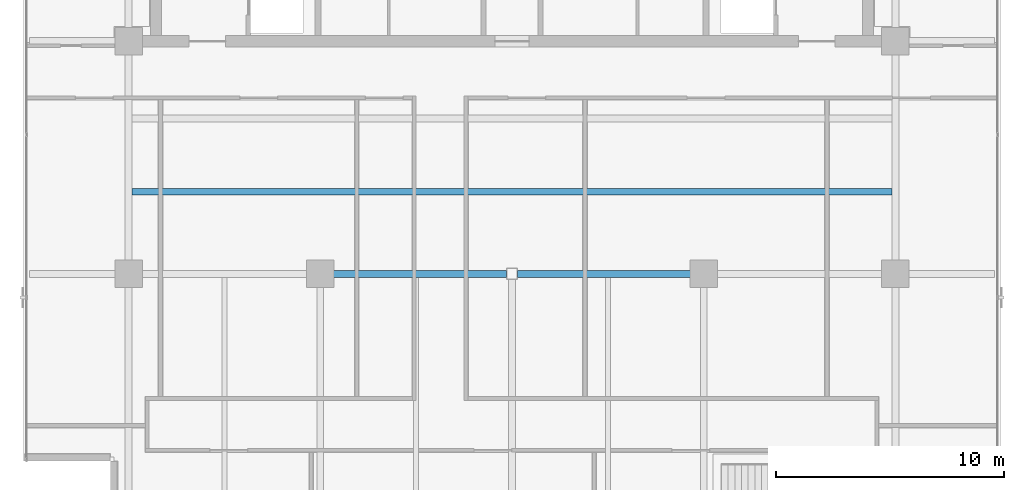
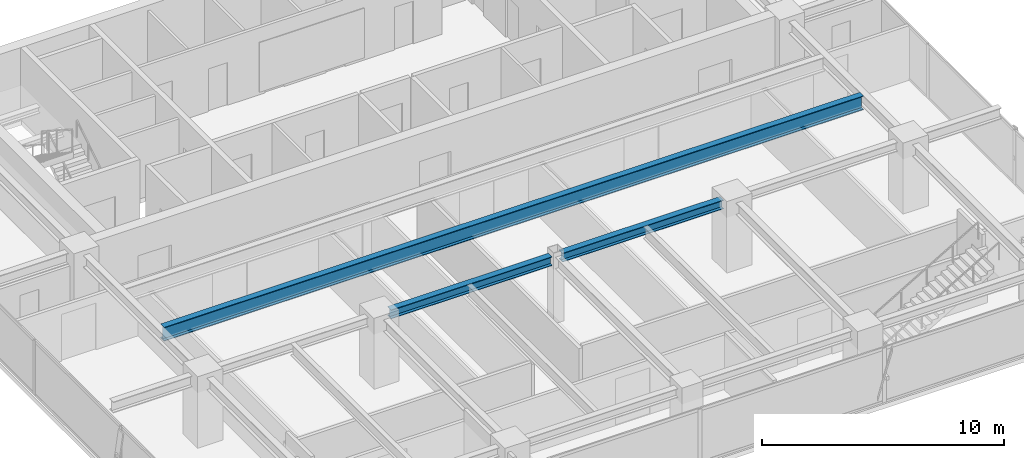
# One storey, part 5 of 22: 3 beams.
"""IFC4 building model written with IfcOpenShell, lengths in metres."""

from ifc_helpers import new_model, si_unit, direction, frame, origin, origin_2d, place, context, subcontext, project, spatial, i_section, extrude, source, transform, mapped, material, material_profile, profile_set, type_object, element, save


model = new_model("IFC4")

# Units and contexts
model_context = context("Model", 3, precision=1e-05, world=origin(), true_north=direction((0.0, 1.0)))
body_context = subcontext(model_context, "Body", "Model", "MODEL_VIEW")
ifc_project = project(units=[si_unit("LENGTHUNIT", "METRE"), si_unit("AREAUNIT", "SQUARE_METRE"), si_unit("VOLUMEUNIT", "CUBIC_METRE"), si_unit("PLANEANGLEUNIT", "RADIAN"), si_unit("MASSUNIT", "GRAM", prefix="KILO")], contexts=[model_context])

# Site, building, storey
site_placement = place(None, origin())
site = spatial("IfcSite", under=ifc_project, at=site_placement, CompositionType="ELEMENT")
building_placement = place(site_placement, origin())
building = spatial("IfcBuilding", under=site, at=building_placement, Name="Sumidabori Civic Tower", CompositionType="ELEMENT")
storey_placement = place(building_placement, frame((0.0, 0.0, 286.39990234375)))
storey = spatial("IfcBuildingStorey", under=building, at=storey_placement, Name="L75", CompositionType="ELEMENT", Elevation=286.39990234375)

# Beams
ifc_material = material(Name="Steel SN490", Category="steel")
ifc_material_profile_1 = material_profile(ifc_material, i_section(OverallWidth=0.300048828125, OverallDepth=0.699951171875, WebThickness=0.01708984375, FlangeThickness=0.031982421875, at=origin_2d()), Name="HE 700 B")
ifc_profile_set_1 = profile_set([ifc_material_profile_1], Name="Steel SN490")
beam_type_1 = type_object("IfcBeamType", Name="BM-GIRD-700", PredefinedType="BEAM", material=ifc_profile_set_1)
shared_shape_1 = source(origin(), body_context, "Body", "SweptSolid", [
    extrude(i_section(OverallWidth=0.300048828125, OverallDepth=0.699951171875, WebThickness=0.01708984375, FlangeThickness=0.031982421875, at=origin_2d()), origin(), (0.0, 0.0, 1.0), 33.2998046875),
])
beam_placement = place(storey_placement, frame((-16.64990234375, 3.60009765625, 3.02001953125), z_axis=(1.0, 0.0, 0.0), x_axis=(0.0, 1.0, 0.0)))
element("IfcBeam", 1, at=beam_placement, inside=storey, type_object=beam_type_1, Name="North Bay Floor Beam L75 JSTN-22", PredefinedType="BEAM", context=body_context, shape_type="MappedRepresentation", body=[
    mapped(shared_shape_1, transform((0.0, 0.0, 0.0), x_axis=(1.0, 0.0, 0.0), y_axis=(0.0, 1.0, 0.0), z_axis=(0.0, 0.0, 1.0), scale=1.0)),
])
ifc_material_profile_2 = material_profile(ifc_material, i_section(OverallWidth=0.300048828125, OverallDepth=0.449951171875, WebThickness=0.013916015625, FlangeThickness=0.02587890625, at=origin_2d()), Name="HE 450 B")
ifc_profile_set_2 = profile_set([ifc_material_profile_2], Name="Steel SN490")
beam_type_2 = type_object("IfcBeamType", Name="BM-GIRD-450", PredefinedType="BEAM", material=ifc_profile_set_2)
shared_shape_2 = source(origin(), body_context, "Body", "SweptSolid", [
    extrude(i_section(OverallWidth=0.300048828125, OverallDepth=0.449951171875, WebThickness=0.013916015625, FlangeThickness=0.02587890625, at=origin_2d()), origin(), (0.0, 0.0, 1.0), 7.669921875),
])
for number, where, z_axis, x_axis, name in (
    (2, (-7.919921875, 0.0, 3.14501953125), (1.0, 0.0, 0.0), (0.0, 1.0, 0.0), "Primary Girder L75 GX-06"),
    (3, (0.25, 0.0, 3.14501953125), (1.0, 0.0, 0.0), (0.0, 1.0, 0.0), "Primary Girder L75 GX-07"),
):
    element("IfcBeam", number, at=place(storey_placement, frame(where, z_axis=z_axis, x_axis=x_axis)), inside=storey, type_object=beam_type_2, Name=name, PredefinedType="BEAM", context=body_context, shape_type="MappedRepresentation", body=[
        mapped(shared_shape_2, transform((0.0, 0.0, 0.0), x_axis=(1.0, 0.0, 0.0), y_axis=(0.0, 1.0, 0.0), z_axis=(0.0, 0.0, 1.0), scale=1.0)),
    ])

save(model, "model.ifc")
